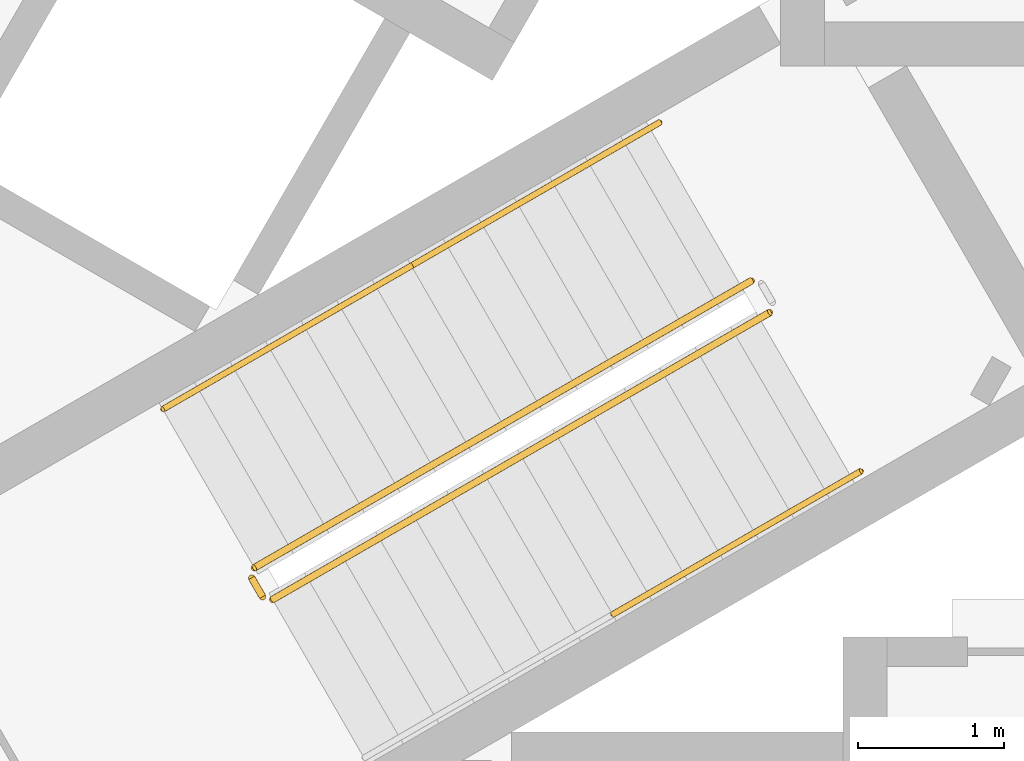
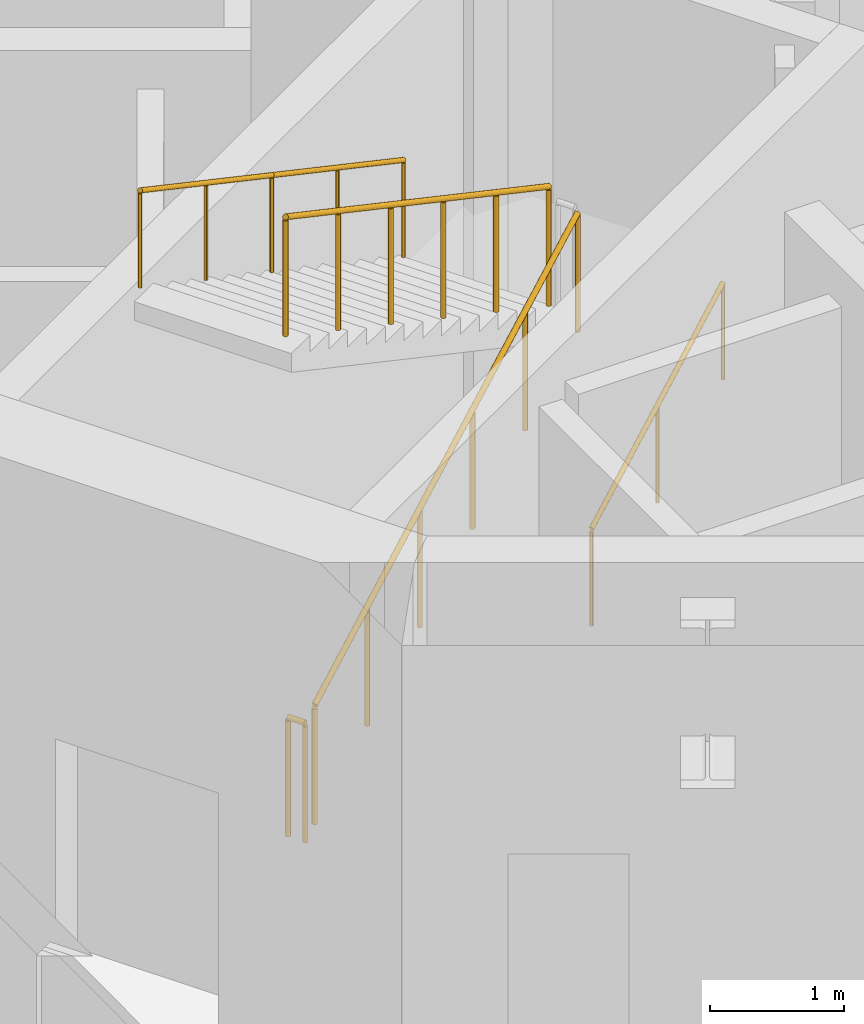
# One storey, part 21 of 27: 6 railings.
"""IFC4 building model written with IfcOpenShell, lengths in metres."""

from ifc_helpers import new_model, si_unit, direction, frame, origin, origin_2d, place, context, subcontext, project, spatial, circle, extrude, material, type_object, element, save


model = new_model("IFC4")

# Units and contexts
model_context = context("Model", 3, precision=1e-05, world=origin(), true_north=direction((0.0, 1.0)))
body_context = subcontext(model_context, "Body", "Model", "MODEL_VIEW")
ifc_project = project(units=[si_unit("LENGTHUNIT", "METRE"), si_unit("AREAUNIT", "SQUARE_METRE"), si_unit("VOLUMEUNIT", "CUBIC_METRE"), si_unit("PLANEANGLEUNIT", "RADIAN"), si_unit("MASSUNIT", "GRAM", prefix="KILO")], contexts=[model_context])

# Site, building, storey
site_placement = place(None, origin())
site = spatial("IfcSite", under=ifc_project, at=site_placement, CompositionType="ELEMENT")
building_placement = place(site_placement, origin())
building = spatial("IfcBuilding", under=site, at=building_placement, Name="Trine Commons Tower", CompositionType="ELEMENT")
storey_placement = place(building_placement, frame((0.0, 0.0, 230.39990234375)))
storey = spatial("IfcBuildingStorey", under=building, at=storey_placement, Name="L60", CompositionType="ELEMENT", Elevation=230.39990234375)

# Railings
ifc_material_1 = material(Name="Stainless steel balustrade", Category="steel")
railing_type_1 = type_object("IfcRailingType", Name="Stair guard, steel balustrade 1100", PredefinedType="GUARDRAIL", material=ifc_material_1)
railing_1_placement = place(storey_placement, frame((74.80517578125, 59.3564453125, 0.150146484375)))
element("IfcRailing", 1, at=railing_1_placement, inside=storey, type_object=railing_type_1, Name="L60 ST2C stair guard 1", PredefinedType="GUARDRAIL", context=body_context, shape_type="SweptSolid", body=[
    extrude(circle(Radius=0.02392578125, at=origin_2d()), frame((0.0, 0.0, 1.076171875), z_axis=(0.763394730363, 0.440743106462, 0.472201228037), x_axis=(-0.499997407846, 0.86602690036, 0.0)), (0.0, 0.0, 1.0), 4.447021484375),
    extrude(circle(Radius=0.02099609375, at=origin_2d()), origin(), (0.0, 0.0, 1.0), 1.052001953125),
    extrude(circle(Radius=0.02099609375, at=origin_2d()), frame((0.678955078125, 0.39208984375, 0.419921875)), (0.0, 0.0, 1.0), 1.052001953125),
    extrude(circle(Radius=0.02099609375, at=origin_2d()), frame((1.35791015625, 0.783935546875, 0.83984375)), (0.0, 0.0, 1.0), 1.052001953125),
    extrude(circle(Radius=0.02099609375, at=origin_2d()), frame((2.036865234375, 1.176025390625, 1.260009765625)), (0.0, 0.0, 1.0), 1.052001953125),
    extrude(circle(Radius=0.02099609375, at=origin_2d()), frame((2.7158203125, 1.56787109375, 1.679931640625)), (0.0, 0.0, 1.0), 1.052001953125),
    extrude(circle(Radius=0.02099609375, at=origin_2d()), frame((3.394775390625, 1.9599609375, 2.099853515625)), (0.0, 0.0, 1.0), 1.052001953125),
])
railing_2_placement = place(storey_placement, frame((78.074951171875, 61.532958984375, 2.400146484375)))
element("IfcRailing", 2, at=railing_2_placement, inside=storey, type_object=railing_type_1, Name="L60 ST2C stair guard 3", PredefinedType="GUARDRAIL", context=body_context, shape_type="SweptSolid", body=[
    extrude(circle(Radius=0.02392578125, at=origin_2d()), frame((0.0, 0.0, 1.076171875), z_axis=(-0.763394730363, -0.440743106462, 0.472201228037), x_axis=(0.499997407846, -0.86602690036, 0.0)), (0.0, 0.0, 1.0), 4.447021484375),
    extrude(circle(Radius=0.02099609375, at=origin_2d()), origin(), (0.0, 0.0, 1.0), 1.052001953125),
    extrude(circle(Radius=0.02099609375, at=origin_2d()), frame((-0.678955078125, -0.39208984375, 0.419921875)), (0.0, 0.0, 1.0), 1.052001953125),
    extrude(circle(Radius=0.02099609375, at=origin_2d()), frame((-1.35791015625, -0.783935546875, 0.83984375)), (0.0, 0.0, 1.0), 1.052001953125),
    extrude(circle(Radius=0.02099609375, at=origin_2d()), frame((-2.036865234375, -1.176025390625, 1.260009765625)), (0.0, 0.0, 1.0), 1.052001953125),
    extrude(circle(Radius=0.02099609375, at=origin_2d()), frame((-2.7158203125, -1.56787109375, 1.679931640625)), (0.0, 0.0, 1.0), 1.052001953125),
    extrude(circle(Radius=0.02099609375, at=origin_2d()), frame((-3.394775390625, -1.9599609375, 2.099853515625)), (0.0, 0.0, 1.0), 1.052001953125),
])
railing_3_placement = place(storey_placement, frame((74.73681640625, 59.374755859375, 0.0)))
element("IfcRailing", 3, at=railing_3_placement, inside=storey, type_object=railing_type_1, Name="L60 ST2C stair guard 4", PredefinedType="GUARDRAIL", context=body_context, shape_type="SweptSolid", body=[
    extrude(circle(Radius=0.02392578125, at=origin_2d()), frame((0.0, 0.0, 1.076171875), z_axis=(-0.499816412211, 0.866131372301, 0.0), x_axis=(-0.866131372301, -0.499816412211, 0.0)), (0.0, 0.0, 1.0), 0.14990234375),
    extrude(circle(Radius=0.02099609375, at=origin_2d()), origin(), (0.0, 0.0, 1.0), 1.052001953125),
    extrude(circle(Radius=0.02099609375, at=origin_2d()), frame((-0.074951171875, 0.1298828125, 0.0)), (0.0, 0.0, 1.0), 1.052001953125),
])
ifc_material_2 = material(Name="Stainless steel handrail", Category="steel")
railing_type_2 = type_object("IfcRailingType", Name="Stair handrail, steel 900", PredefinedType="HANDRAIL", material=ifc_material_2)
railing_4_placement = place(storey_placement, frame((77.127685546875, 59.25390625, 1.2001953125)))
element("IfcRailing", 4, at=railing_4_placement, inside=storey, type_object=railing_type_2, Name="L60 ST2C stair handrail 2", PredefinedType="HANDRAIL", context=body_context, shape_type="SweptSolid", body=[
    extrude(circle(Radius=0.02099609375, at=origin_2d()), frame((0.0, 0.0, 0.87890625), z_axis=(0.76339161385, 0.440773006041, 0.472178357243), x_axis=(-0.500024377727, 0.866011328839, 0.0)), (0.0, 0.0, 1.0), 2.223388671875),
    extrude(circle(Radius=0.01513671875, at=origin_2d()), origin(), (0.0, 0.0, 1.0), 0.85791015625),
    extrude(circle(Radius=0.01513671875, at=origin_2d()), frame((0.8486328125, 0.489990234375, 0.52490234375)), (0.0, 0.0, 1.0), 0.85791015625),
    extrude(circle(Radius=0.01513671875, at=origin_2d()), frame((1.697265625, 0.97998046875, 1.0498046875)), (0.0, 0.0, 1.0), 0.85791015625),
])
railing_5_placement = place(storey_placement, frame((77.449951171875, 62.615478515625, 2.400146484375)))
element("IfcRailing", 5, at=railing_5_placement, inside=storey, type_object=railing_type_2, Name="L60 ST2C stair handrail 3", PredefinedType="HANDRAIL", context=body_context, shape_type="SweptSolid", body=[
    extrude(circle(Radius=0.02099609375, at=origin_2d()), frame((0.0, 0.0, 0.87890625), z_axis=(-0.763352030933, -0.440750151347, 0.472263677365), x_axis=(0.500024377727, -0.866011328839, 0.0)), (0.0, 0.0, 1.0), 2.223388671875),
    extrude(circle(Radius=0.01513671875, at=origin_2d()), origin(), (0.0, 0.0, 1.0), 0.85791015625),
    extrude(circle(Radius=0.01513671875, at=origin_2d()), frame((-0.8486328125, -0.489990234375, 0.52490234375)), (0.0, 0.0, 1.0), 0.85791015625),
    extrude(circle(Radius=0.01513671875, at=origin_2d()), frame((-1.697265625, -0.97998046875, 1.050048828125)), (0.0, 0.0, 1.0), 0.85791015625),
])
railing_6_placement = place(storey_placement, frame((75.752685546875, 61.635498046875, 3.4501953125)))
element("IfcRailing", 6, at=railing_6_placement, inside=storey, type_object=railing_type_2, Name="L60 ST2C stair handrail 4", PredefinedType="HANDRAIL", context=body_context, shape_type="SweptSolid", body=[
    extrude(circle(Radius=0.02099609375, at=origin_2d()), frame((0.0, 0.0, 0.87890625), z_axis=(-0.763437424022, -0.440736059258, 0.47213877798), x_axis=(0.499970440388, -0.866042469362, 0.0)), (0.0, 0.0, 1.0), 2.223388671875),
    extrude(circle(Radius=0.01513671875, at=origin_2d()), origin(), (0.0, 0.0, 1.0), 0.85791015625),
    extrude(circle(Radius=0.01513671875, at=origin_2d()), frame((-0.8486328125, -0.489990234375, 0.52490234375)), (0.0, 0.0, 1.0), 0.85791015625),
    extrude(circle(Radius=0.01513671875, at=origin_2d()), frame((-1.697509765625, -0.97998046875, 1.0498046875)), (0.0, 0.0, 1.0), 0.85791015625),
])

save(model, "model.ifc")
